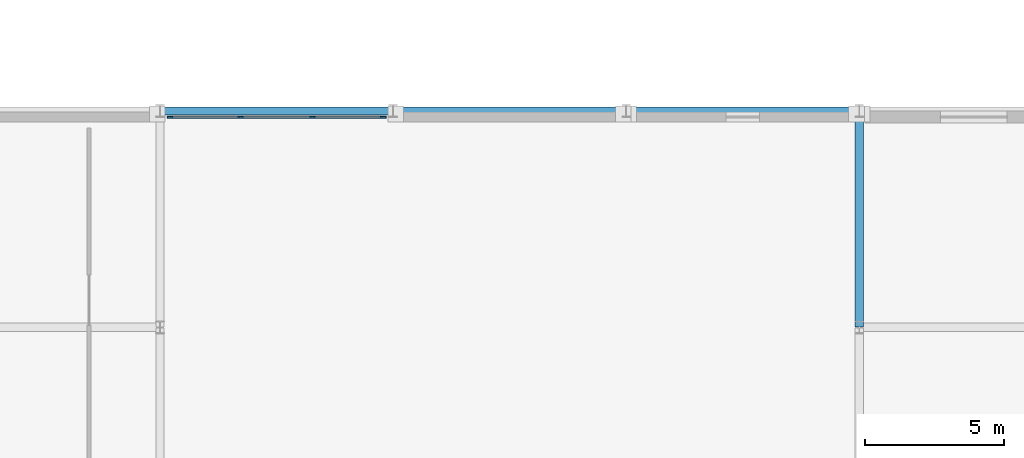
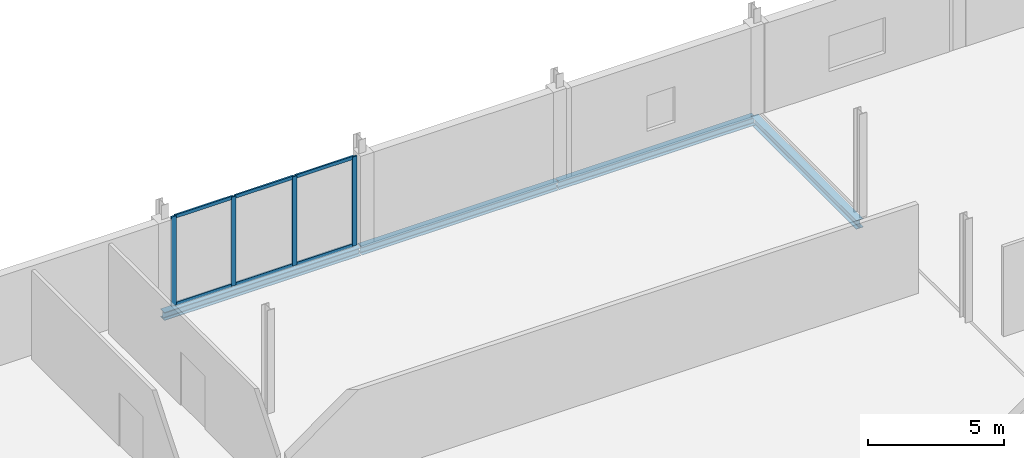
# One storey, part 38 of 98: 10 members, 4 beams, 1 element without a shape of its own.
"""IFC4 building model written with IfcOpenShell, lengths in metres."""

from ifc_helpers import new_model, si_unit, direction, frame, origin, origin_2d, place, context, subcontext, project, spatial, rectangle, i_section, extrude, material, material_profile, profile_set, type_object, element, aggregate, save


model = new_model("IFC4")

# Units and contexts
model_context = context("Model", 3, precision=1e-05, world=origin(), true_north=direction((0.0, 1.0)))
body_context = subcontext(model_context, "Body", "Model", "MODEL_VIEW")
ifc_project = project(units=[si_unit("LENGTHUNIT", "METRE"), si_unit("AREAUNIT", "SQUARE_METRE"), si_unit("VOLUMEUNIT", "CUBIC_METRE"), si_unit("PLANEANGLEUNIT", "RADIAN"), si_unit("MASSUNIT", "GRAM", prefix="KILO")], contexts=[model_context])

# Site, building, storey
site_placement = place(None, origin())
site = spatial("IfcSite", under=ifc_project, at=site_placement, CompositionType="ELEMENT")
building_placement = place(site_placement, origin())
building = spatial("IfcBuilding", under=site, at=building_placement, Name="Nabrawat Pavilion Hospital", CompositionType="ELEMENT")
storey_placement = place(building_placement, frame((0.0, 0.0, 10.199951171875)))
storey = spatial("IfcBuildingStorey", under=building, at=storey_placement, Name="L02", CompositionType="ELEMENT", Elevation=10.199951171875)

# Curtain wall, members
ifc_material_1 = material(Name="Anodised Aluminium", Category="aluminium")
curtain_wall_type = type_object("IfcCurtainWallType", Name="Emergency Concourse Glazed Screen", PredefinedType="USERDEFINED", material=ifc_material_1)
curtain_wall_placement = place(storey_placement, origin())
curtain_wall = element("IfcCurtainWall", 1, at=curtain_wall_placement, inside=storey, type_object=curtain_wall_type, Name="L02 Emergency Concourse Glazed Screen 097", ObjectType="CURTAIN WALL", PredefinedType="USERDEFINED")
ifc_material_profile_1 = material_profile(ifc_material_1, rectangle(XDim=0.070068359375, YDim=0.199951171875, at=origin_2d()), Name="CWM 70x200")
ifc_profile_set_1 = profile_set([ifc_material_profile_1], Name="Anodised Aluminium")
member_type_1 = type_object("IfcMemberType", Name="Emergency Concourse Glazed Screen Mullion CWM 70x200", PredefinedType="MULLION", material=ifc_profile_set_1)
member_1_placement = place(storey_placement, frame((33.955078125, 116.780029296875, 0.0), z_axis=(0.0, 0.0, 1.0), x_axis=(0.0, 1.0, 0.0)))
member_1 = element("IfcMember", 2, at=member_1_placement, type_object=member_type_1, Name="CW-ED-01 mullion 1", PredefinedType="MULLION", context=body_context, shape_type="SweptSolid", body=[
    extrude(rectangle(XDim=0.070068359375, YDim=0.199951171875, at=origin_2d()), origin(), (0.0, 0.0, 1.0), 4.010009765625),
])
member_2_placement = place(storey_placement, frame((36.506591796875, 116.780029296875, 0.0), z_axis=(0.0, 0.0, 1.0), x_axis=(0.0, 1.0, 0.0)))
member_2 = element("IfcMember", 3, at=member_2_placement, type_object=member_type_1, Name="CW-ED-01 mullion 2", PredefinedType="MULLION", context=body_context, shape_type="SweptSolid", body=[
    extrude(rectangle(XDim=0.070068359375, YDim=0.199951171875, at=origin_2d()), origin(), (0.0, 0.0, 1.0), 4.010009765625),
])
member_3_placement = place(storey_placement, frame((39.09326171875, 116.780029296875, 0.0), z_axis=(0.0, 0.0, 1.0), x_axis=(0.0, 1.0, 0.0)))
member_3 = element("IfcMember", 4, at=member_3_placement, type_object=member_type_1, Name="CW-ED-01 mullion 3", PredefinedType="MULLION", context=body_context, shape_type="SweptSolid", body=[
    extrude(rectangle(XDim=0.070068359375, YDim=0.199951171875, at=origin_2d()), origin(), (0.0, 0.0, 1.0), 4.010009765625),
])
member_4_placement = place(storey_placement, frame((41.64501953125, 116.780029296875, 0.0), z_axis=(0.0, 0.0, 1.0), x_axis=(0.0, 1.0, 0.0)))
member_4 = element("IfcMember", 5, at=member_4_placement, type_object=member_type_1, Name="CW-ED-01 mullion 4", PredefinedType="MULLION", context=body_context, shape_type="SweptSolid", body=[
    extrude(rectangle(XDim=0.070068359375, YDim=0.199951171875, at=origin_2d()), origin(), (0.0, 0.0, 1.0), 4.010009765625),
])
ifc_material_profile_2 = material_profile(ifc_material_1, rectangle(XDim=0.070068359375, YDim=0.14990234375, at=origin_2d()), Name="CWT 70x150")
ifc_profile_set_2 = profile_set([ifc_material_profile_2], Name="Anodised Aluminium")
member_type_2 = type_object("IfcMemberType", Name="Emergency Concourse Glazed Screen Transom CWT 70x150", PredefinedType="USERDEFINED", material=ifc_profile_set_2)
member_5_placement = place(storey_placement, frame((33.989990234375, 116.780029296875, 0.03515625), z_axis=(1.0, 0.0, 0.0), x_axis=(0.0, 1.0, 0.0)))
member_5 = element("IfcMember", 6, at=member_5_placement, type_object=member_type_2, Name="CW-ED-01 transom 1.1", ObjectType="TRANSOM", PredefinedType="USERDEFINED", context=body_context, shape_type="SweptSolid", body=[
    extrude(rectangle(XDim=0.070068359375, YDim=0.14990234375, at=origin_2d()), origin(), (0.0, 0.0, 1.0), 2.481689453125),
])
member_6_placement = place(storey_placement, frame((33.989990234375, 116.780029296875, 3.97509765625), z_axis=(1.0, 0.0, 0.0), x_axis=(0.0, 1.0, 0.0)))
member_6 = element("IfcMember", 7, at=member_6_placement, type_object=member_type_2, Name="CW-ED-01 transom 1.2", ObjectType="TRANSOM", PredefinedType="USERDEFINED", context=body_context, shape_type="SweptSolid", body=[
    extrude(rectangle(XDim=0.070068359375, YDim=0.14990234375, at=origin_2d()), origin(), (0.0, 0.0, 1.0), 2.481689453125),
])
member_7_placement = place(storey_placement, frame((36.541748046875, 116.780029296875, 0.03515625), z_axis=(1.0, 0.0, 0.0), x_axis=(0.0, 1.0, 0.0)))
member_7 = element("IfcMember", 8, at=member_7_placement, type_object=member_type_2, Name="CW-ED-01 transom 2.1", ObjectType="TRANSOM", PredefinedType="USERDEFINED", context=body_context, shape_type="SweptSolid", body=[
    extrude(rectangle(XDim=0.070068359375, YDim=0.14990234375, at=origin_2d()), origin(), (0.0, 0.0, 1.0), 2.5166015625),
])
member_8_placement = place(storey_placement, frame((36.541748046875, 116.780029296875, 3.97509765625), z_axis=(1.0, 0.0, 0.0), x_axis=(0.0, 1.0, 0.0)))
member_8 = element("IfcMember", 9, at=member_8_placement, type_object=member_type_2, Name="CW-ED-01 transom 2.2", ObjectType="TRANSOM", PredefinedType="USERDEFINED", context=body_context, shape_type="SweptSolid", body=[
    extrude(rectangle(XDim=0.070068359375, YDim=0.14990234375, at=origin_2d()), origin(), (0.0, 0.0, 1.0), 2.5166015625),
])
member_9_placement = place(storey_placement, frame((39.12841796875, 116.780029296875, 0.03515625), z_axis=(1.0, 0.0, 0.0), x_axis=(0.0, 1.0, 0.0)))
member_9 = element("IfcMember", 10, at=member_9_placement, type_object=member_type_2, Name="CW-ED-01 transom 3.1", ObjectType="TRANSOM", PredefinedType="USERDEFINED", context=body_context, shape_type="SweptSolid", body=[
    extrude(rectangle(XDim=0.070068359375, YDim=0.14990234375, at=origin_2d()), origin(), (0.0, 0.0, 1.0), 2.481689453125),
])
member_10_placement = place(storey_placement, frame((39.12841796875, 116.780029296875, 3.97509765625), z_axis=(1.0, 0.0, 0.0), x_axis=(0.0, 1.0, 0.0)))
member_10 = element("IfcMember", 11, at=member_10_placement, type_object=member_type_2, Name="CW-ED-01 transom 3.2", ObjectType="TRANSOM", PredefinedType="USERDEFINED", context=body_context, shape_type="SweptSolid", body=[
    extrude(rectangle(XDim=0.070068359375, YDim=0.14990234375, at=origin_2d()), origin(), (0.0, 0.0, 1.0), 2.481689453125),
])
aggregate(curtain_wall, [member_1, member_2, member_3, member_4, member_5, member_6, member_7, member_8, member_9, member_10])

# Beams
ifc_material_2 = material(Name="Steel S355", Category="steel")
ifc_material_profile_3 = material_profile(ifc_material_2, i_section(OverallWidth=0.300048828125, OverallDepth=0.389892578125, WebThickness=0.010986328125, FlangeThickness=0.01904296875, FilletRadius=0.027099609375, at=origin_2d()), Name="HEA 400")
ifc_profile_set_3 = profile_set([ifc_material_profile_3], Name="Steel S355")
beam_type_1 = type_object("IfcBeamType", Name="Perimeter Moment Spandrel Beam HEA 400", PredefinedType="SPANDREL", material=ifc_profile_set_3)
beam_1_placement = place(storey_placement, frame((58.800048828125, 109.219970703125, -0.46484375), z_axis=(0.0, 1.0, 0.0), x_axis=(-1.0, 0.0, 0.0)))
element("IfcBeam", 12, at=beam_1_placement, inside=storey, type_object=beam_type_1, Name="L02 Primary Y Beam 1234", PredefinedType="SPANDREL", context=body_context, shape_type="SweptSolid", body=[
    extrude(i_section(OverallWidth=0.300048828125, OverallDepth=0.389892578125, WebThickness=0.010986328125, FlangeThickness=0.01904296875, FilletRadius=0.027099609375, at=origin_2d()), origin(), (0.0, 0.0, 1.0), 7.760009765625),
])
ifc_material_profile_4 = material_profile(ifc_material_2, i_section(OverallWidth=0.300048828125, OverallDepth=0.360107421875, WebThickness=0.012451171875, FlangeThickness=0.0224609375, FilletRadius=0.027099609375, at=origin_2d()), Name="HEB 360")
ifc_profile_set_4 = profile_set([ifc_material_profile_4], Name="Steel S355")
beam_type_2 = type_object("IfcBeamType", Name="Surgical Perimeter Spandrel HEB 360", PredefinedType="SPANDREL", material=ifc_profile_set_4)
for number, where, z_axis, x_axis, name in (
    (13, (33.6201171875, 117.0, -0.449951171875), (1.0, 0.0, 0.0), (0.0, 1.0, 0.0), "L02 Primary X Girder 1145"),
    (14, (42.02001953125, 117.0, -0.449951171875), (1.0, 0.0, 0.0), (0.0, 1.0, 0.0), "L02 Primary X Girder 1146"),
):
    element("IfcBeam", number, at=place(storey_placement, frame(where, z_axis=z_axis, x_axis=x_axis)), inside=storey, type_object=beam_type_2, Name=name, PredefinedType="SPANDREL", context=body_context, shape_type="SweptSolid", body=[
        extrude(i_section(OverallWidth=0.300048828125, OverallDepth=0.360107421875, WebThickness=0.012451171875, FlangeThickness=0.0224609375, FilletRadius=0.027099609375, at=origin_2d()), origin(), (0.0, 0.0, 1.0), 8.35986328125),
    ])
beam_2_placement = place(storey_placement, frame((50.419921875, 117.0, -0.449951171875), z_axis=(1.0, 0.0, 0.0), x_axis=(0.0, 1.0, 0.0)))
element("IfcBeam", 15, at=beam_2_placement, inside=storey, type_object=beam_type_2, Name="L02 Primary X Girder 1147", PredefinedType="SPANDREL", context=body_context, shape_type="SweptSolid", body=[
    extrude(i_section(OverallWidth=0.300048828125, OverallDepth=0.360107421875, WebThickness=0.012451171875, FlangeThickness=0.0224609375, FilletRadius=0.027099609375, at=origin_2d()), origin(), (0.0, 0.0, 1.0), 8.360107421875),
])

save(model, "model.ifc")
